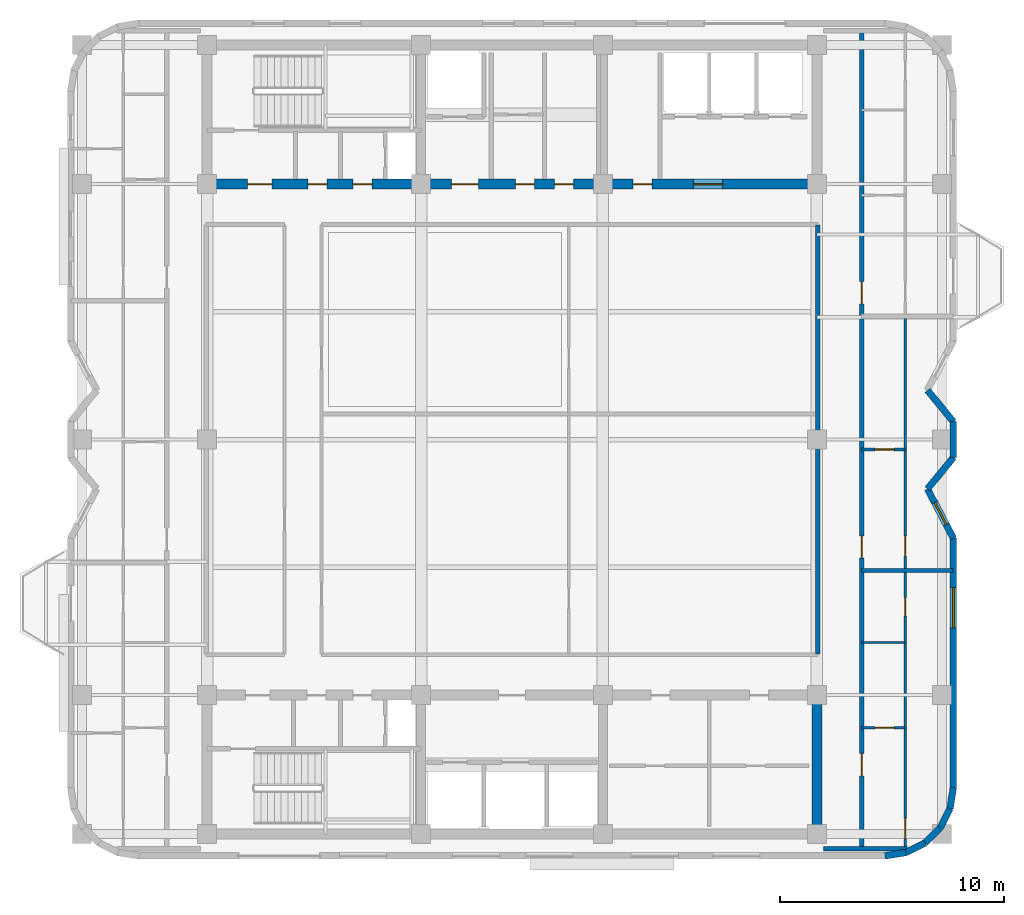
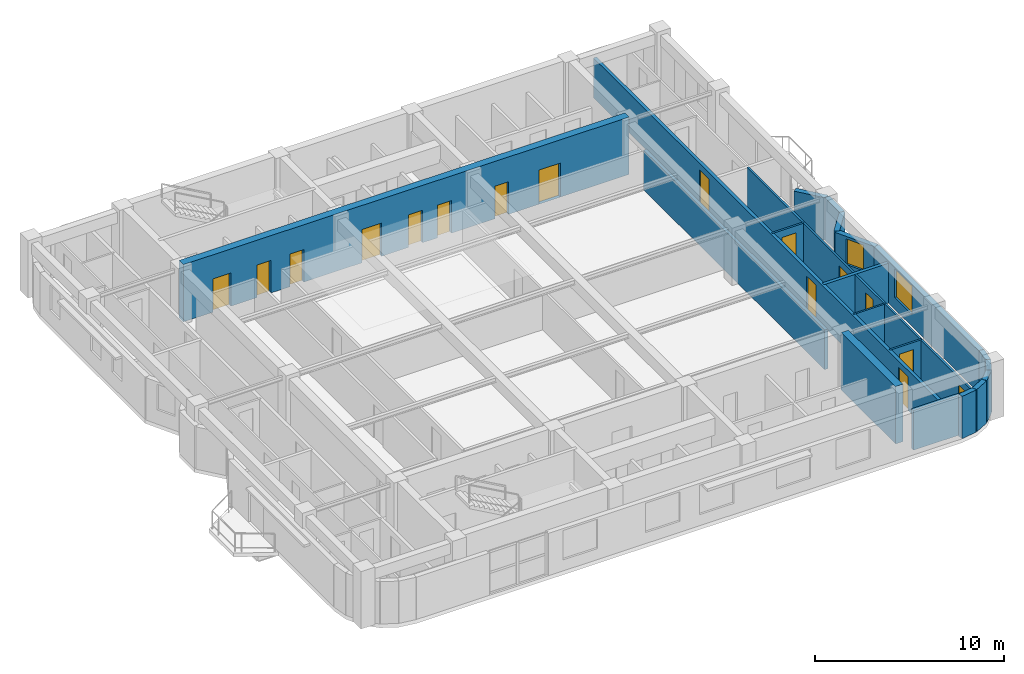
# One storey, part 8 of 12: 21 walls, 16 doors, 2 windows, 18 openings.
"""IFC4 building model written with IfcOpenShell, lengths in metres."""

from ifc_helpers import new_model, si_unit, direction, frame, frame_2d, origin, place, context, subcontext, project, spatial, rectangle, extrude, material, layer, layer_set, type_object, element, fill, save


model = new_model("IFC4")

# Units and contexts
model_context = context("Model", 3, precision=1e-05, world=origin(), true_north=direction((0.0, 1.0)))
body_context = subcontext(model_context, "Body", "Model", "MODEL_VIEW")
ifc_project = project(units=[si_unit("LENGTHUNIT", "METRE"), si_unit("AREAUNIT", "SQUARE_METRE"), si_unit("VOLUMEUNIT", "CUBIC_METRE"), si_unit("PLANEANGLEUNIT", "RADIAN"), si_unit("MASSUNIT", "GRAM", prefix="KILO")], contexts=[model_context])

# Site, building, storey
site_placement = place(None, origin())
site = spatial("IfcSite", under=ifc_project, at=site_placement, CompositionType="ELEMENT")
building_placement = place(site_placement, origin())
building = spatial("IfcBuilding", under=site, at=building_placement, Name="Svetorya Sky Lyceum", CompositionType="ELEMENT")
storey_placement = place(building_placement, frame((0.0, 0.0, 236.89990234375)))
storey = spatial("IfcBuildingStorey", under=building, at=storey_placement, Name="L59", CompositionType="ELEMENT", Elevation=236.89990234375)

# Wall
ifc_material_1 = material(Name="Concrete C50/60", Category="concrete")
ifc_layer_1 = layer(ifc_material_1, 0.449951171875)
ifc_layer_set_1 = layer_set([ifc_layer_1], Name="Concrete C50/60")
wall_type_1 = type_object("IfcWallType", Name="WL-CORE-450", PredefinedType="SHEAR", material=ifc_layer_set_1)
wall_1_placement = place(storey_placement, frame((52.800048828125, 10.824951171875, 0.0), z_axis=(0.0, 0.0, 1.0), x_axis=(0.0, 1.0, 0.0)))
element("IfcWall", 1, at=wall_1_placement, inside=storey, type_object=wall_type_1, Name="L59 SC East Core Shear Wall", PredefinedType="SHEAR", context=body_context, shape_type="SweptSolid", body=[
    extrude(rectangle(XDim=5.75, YDim=0.449951171875, at=frame_2d((2.875, 0.0))), origin(), (0.0, 0.0, 1.0), 3.7001953125),
])

# Wall, openings, doors
wall_2_placement = place(storey_placement, frame((52.800048828125, 39.60009765625, 0.0), z_axis=(0.0, 0.0, 1.0), x_axis=(-1.0, 0.0, 0.0)))
wall_2 = element("IfcWall", 2, at=wall_2_placement, inside=storey, type_object=wall_type_1, Name="L59 NC Inner Core Shear Wall", PredefinedType="SHEAR", context=body_context, shape_type="SweptSolid", body=[
    extrude(rectangle(XDim=27.199951171875, YDim=0.449951171875, at=frame_2d((13.60009765625, 0.0))), origin(), (0.0, 0.0, 1.0), 3.7001953125),
])
opening_1_placement = place(wall_2_placement, frame((24.300048828125, 0.0, 0.0)))
opening_1 = element("IfcOpeningElement", 3, at=opening_1_placement, cuts=wall_2, Name="Opening D-ST1", PredefinedType="OPENING", context=body_context, shape_type="SweptSolid", body=[
    extrude(rectangle(XDim=1.10009765625, YDim=2.14990234375, at=frame_2d((0.550048828125, 1.074951171875))), frame((0.0, 0.23486328125, 0.0), z_axis=(0.0, -1.0, 0.0), x_axis=(1.0, 0.0, 0.0)), (0.0, 0.0, 1.0), 0.469970703125),
])
opening_2_placement = place(wall_2_placement, frame((21.85009765625, 0.0, 0.0)))
opening_2 = element("IfcOpeningElement", 4, at=opening_2_placement, cuts=wall_2, Name="Opening D-CWC1", PredefinedType="OPENING", context=body_context, shape_type="SweptSolid", body=[
    extrude(rectangle(XDim=0.85009765625, YDim=2.10009765625, at=frame_2d((0.425048828125, 1.050048828125))), frame((0.0, 0.23486328125, 0.0), z_axis=(0.0, -1.0, 0.0), x_axis=(1.0, 0.0, 0.0)), (0.0, 0.0, 1.0), 0.469970703125),
])
opening_3_placement = place(wall_2_placement, frame((19.85009765625, 0.0, 0.0)))
opening_3 = element("IfcOpeningElement", 5, at=opening_3_placement, cuts=wall_2, Name="Opening D-CWC1", PredefinedType="OPENING", context=body_context, shape_type="SweptSolid", body=[
    extrude(rectangle(XDim=0.85009765625, YDim=2.10009765625, at=frame_2d((0.425048828125, 1.050048828125))), frame((0.0, 0.23486328125, 0.0), z_axis=(0.0, -1.0, 0.0), x_axis=(1.0, 0.0, 0.0)), (0.0, 0.0, 1.0), 0.469970703125),
])
opening_4_placement = place(wall_2_placement, frame((15.10009765625, 0.0, 0.0)))
opening_4 = element("IfcOpeningElement", 6, at=opening_4_placement, cuts=wall_2, Name="Opening D-FL1", PredefinedType="OPENING", context=body_context, shape_type="SweptSolid", body=[
    extrude(rectangle(XDim=1.199951171875, YDim=2.14990234375, at=frame_2d((0.60009765625, 1.074951171875))), frame((0.0, 0.23486328125, 0.0), z_axis=(0.0, -1.0, 0.0), x_axis=(1.0, 0.0, 0.0)), (0.0, 0.0, 1.0), 0.469970703125),
])
opening_5_placement = place(wall_2_placement, frame((12.60009765625, 0.0, 0.0)))
opening_5 = element("IfcOpeningElement", 7, at=opening_5_placement, cuts=wall_2, Name="Opening D-CWC1", PredefinedType="OPENING", context=body_context, shape_type="SweptSolid", body=[
    extrude(rectangle(XDim=0.85009765625, YDim=2.10009765625, at=frame_2d((0.425048828125, 1.050048828125))), frame((0.0, 0.23486328125, 0.0), z_axis=(0.0, -1.0, 0.0), x_axis=(1.0, 0.0, 0.0)), (0.0, 0.0, 1.0), 0.469970703125),
])
opening_6_placement = place(wall_2_placement, frame((10.85009765625, 0.0, 0.0)))
opening_6 = element("IfcOpeningElement", 8, at=opening_6_placement, cuts=wall_2, Name="Opening D-CWC1", PredefinedType="OPENING", context=body_context, shape_type="SweptSolid", body=[
    extrude(rectangle(XDim=0.85009765625, YDim=2.10009765625, at=frame_2d((0.425048828125, 1.050048828125))), frame((0.0, 0.23486328125, 0.0), z_axis=(0.0, -1.0, 0.0), x_axis=(1.0, 0.0, 0.0)), (0.0, 0.0, 1.0), 0.469970703125),
])
opening_7_placement = place(wall_2_placement, frame((7.35009765625, 0.0, 0.0)))
opening_7 = element("IfcOpeningElement", 9, at=opening_7_placement, cuts=wall_2, Name="Opening D-CWC1", PredefinedType="OPENING", context=body_context, shape_type="SweptSolid", body=[
    extrude(rectangle(XDim=0.85009765625, YDim=2.10009765625, at=frame_2d((0.425048828125, 1.050048828125))), frame((0.0, 0.23486328125, 0.0), z_axis=(0.0, -1.0, 0.0), x_axis=(1.0, 0.0, 0.0)), (0.0, 0.0, 1.0), 0.469970703125),
])
opening_8_placement = place(wall_2_placement, frame((4.199951171875, 0.0, 0.0)))
opening_8 = element("IfcOpeningElement", 10, at=opening_8_placement, cuts=wall_2, Name="Opening D-LB1", PredefinedType="OPENING", context=body_context, shape_type="SweptSolid", body=[
    extrude(rectangle(XDim=1.300048828125, YDim=2.199951171875, at=frame_2d((0.64990234375, 1.10009765625))), frame((0.0, 0.23486328125, 0.0), z_axis=(0.0, -1.0, 0.0), x_axis=(1.0, 0.0, 0.0)), (0.0, 0.0, 1.0), 0.469970703125),
])
ifc_material_2 = material(Name="Fire-rated galvanized steel core service closet door", Category="steel")
door_type_1 = type_object("IfcDoorType", Name="DR-CWET-850", OperationType="SINGLE_SWING_LEFT", PredefinedType="DOOR", material=ifc_material_2)
door_1_placement = place(opening_2_placement, origin())
door_1 = element("IfcDoor", 11, at=door_1_placement, inside=storey, type_object=door_type_1, Name="L59 North Cleaner Door", OperationType="SINGLE_SWING_RIGHT", OverallHeight=2.10009765625, OverallWidth=0.85009765625, PredefinedType="DOOR", context=body_context, shape_type="SweptSolid", body=[
    extrude(rectangle(XDim=0.85009765625, YDim=2.10009765625, at=frame_2d((0.425048828125, 1.050048828125))), frame((0.0, 0.02490234375, 0.0), z_axis=(0.0, -1.0, 0.0), x_axis=(1.0, 0.0, 0.0)), (0.0, 0.0, 1.0), 0.050048828125),
])
fill(opening_2, door_1)
door_2_placement = place(opening_3_placement, origin())
door_2 = element("IfcDoor", 12, at=door_2_placement, inside=storey, type_object=door_type_1, Name="L59 North Meter Door", OperationType="SINGLE_SWING_LEFT", OverallHeight=2.10009765625, OverallWidth=0.85009765625, PredefinedType="DOOR", context=body_context, shape_type="SweptSolid", body=[
    extrude(rectangle(XDim=0.85009765625, YDim=2.10009765625, at=frame_2d((0.425048828125, 1.050048828125))), frame((0.0, 0.02490234375, 0.0), z_axis=(0.0, -1.0, 0.0), x_axis=(1.0, 0.0, 0.0)), (0.0, 0.0, 1.0), 0.050048828125),
])
fill(opening_3, door_2)
door_3_placement = place(opening_5_placement, origin())
door_3 = element("IfcDoor", 13, at=door_3_placement, inside=storey, type_object=door_type_1, Name="L59 Cleaner Vestibule Door", OperationType="SINGLE_SWING_LEFT", OverallHeight=2.10009765625, OverallWidth=0.85009765625, PredefinedType="DOOR", context=body_context, shape_type="SweptSolid", body=[
    extrude(rectangle(XDim=0.85009765625, YDim=2.10009765625, at=frame_2d((0.425048828125, 1.050048828125))), frame((0.0, 0.02490234375, 0.0), z_axis=(0.0, -1.0, 0.0), x_axis=(1.0, 0.0, 0.0)), (0.0, 0.0, 1.0), 0.050048828125),
])
fill(opening_5, door_3)
door_4_placement = place(opening_6_placement, origin())
door_4 = element("IfcDoor", 14, at=door_4_placement, inside=storey, type_object=door_type_1, Name="L59 Upper Pram Store Door", OperationType="SINGLE_SWING_RIGHT", OverallHeight=2.10009765625, OverallWidth=0.85009765625, PredefinedType="DOOR", context=body_context, shape_type="SweptSolid", body=[
    extrude(rectangle(XDim=0.85009765625, YDim=2.10009765625, at=frame_2d((0.425048828125, 1.050048828125))), frame((0.0, 0.02490234375, 0.0), z_axis=(0.0, -1.0, 0.0), x_axis=(1.0, 0.0, 0.0)), (0.0, 0.0, 1.0), 0.050048828125),
])
fill(opening_6, door_4)
door_5_placement = place(opening_7_placement, origin())
door_5 = element("IfcDoor", 15, at=door_5_placement, inside=storey, type_object=door_type_1, Name="L59 High-Zone Utility Room Door", OperationType="SINGLE_SWING_LEFT", OverallHeight=2.10009765625, OverallWidth=0.85009765625, PredefinedType="DOOR", context=body_context, shape_type="SweptSolid", body=[
    extrude(rectangle(XDim=0.85009765625, YDim=2.10009765625, at=frame_2d((0.425048828125, 1.050048828125))), frame((0.0, 0.02490234375, 0.0), z_axis=(0.0, -1.0, 0.0), x_axis=(1.0, 0.0, 0.0)), (0.0, 0.0, 1.0), 0.050048828125),
])
fill(opening_7, door_5)
ifc_material_3 = material(Name="Powder-coated insulated galvanized stair fire door")
door_type_2 = type_object("IfcDoorType", Name="DR-FIRE-1100", OperationType="SINGLE_SWING_LEFT", PredefinedType="DOOR", material=ifc_material_3)
door_6_placement = place(opening_1_placement, origin())
door_6 = element("IfcDoor", 16, at=door_6_placement, inside=storey, type_object=door_type_2, Name="L59 North Stair Airlock Door", OperationType="SINGLE_SWING_LEFT", OverallHeight=2.14990234375, OverallWidth=1.10009765625, PredefinedType="DOOR", context=body_context, shape_type="SweptSolid", body=[
    extrude(rectangle(XDim=1.10009765625, YDim=2.14990234375, at=frame_2d((0.550048828125, 1.074951171875))), frame((0.0, 0.02490234375, 0.0), z_axis=(0.0, -1.0, 0.0), x_axis=(1.0, 0.0, 0.0)), (0.0, 0.0, 1.0), 0.050048828125),
])
fill(opening_1, door_6)
ifc_material_4 = material(Name="Powder-coated insulated galvanized fire door")
door_type_3 = type_object("IfcDoorType", Name="DR-FIRE-1200", OperationType="SINGLE_SWING_LEFT", PredefinedType="DOOR", material=ifc_material_4)
door_7_placement = place(opening_4_placement, origin())
door_7 = element("IfcDoor", 17, at=door_7_placement, inside=storey, type_object=door_type_3, Name="L59 North Firefighting Lift Lobby Door", OperationType="SINGLE_SWING_RIGHT", OverallHeight=2.14990234375, OverallWidth=1.199951171875, PredefinedType="DOOR", context=body_context, shape_type="SweptSolid", body=[
    extrude(rectangle(XDim=1.199951171875, YDim=2.14990234375, at=frame_2d((0.60009765625, 1.074951171875))), frame((0.0, 0.02490234375, 0.0), z_axis=(0.0, -1.0, 0.0), x_axis=(1.0, 0.0, 0.0)), (0.0, 0.0, 1.0), 0.050048828125),
])
fill(opening_4, door_7)
ifc_material_5 = material(Name="Glazed fire-rated aluminium lobby door", Category="aluminium")
door_type_4 = type_object("IfcDoorType", Name="DR-LOB-1300", OperationType="SINGLE_SWING_LEFT", PredefinedType="DOOR", material=ifc_material_5)
door_8_placement = place(opening_8_placement, origin())
door_8 = element("IfcDoor", 18, at=door_8_placement, inside=storey, type_object=door_type_4, Name="L59 North Passenger Lift Lobby Door", OperationType="SINGLE_SWING_LEFT", OverallHeight=2.199951171875, OverallWidth=1.300048828125, PredefinedType="DOOR", context=body_context, shape_type="SweptSolid", body=[
    extrude(rectangle(XDim=1.300048828125, YDim=2.199951171875, at=frame_2d((0.64990234375, 1.10009765625))), frame((0.0, 0.02490234375, 0.0), z_axis=(0.0, -1.0, 0.0), x_axis=(1.0, 0.0, 0.0)), (0.0, 0.0, 1.0), 0.050048828125),
])
fill(opening_8, door_8)

# Walls
ifc_material_6 = material(Name="Putilovo limestone rainscreen on autoclaved cellular masonry", Category="masonry")
ifc_layer_2 = layer(ifc_material_6, 0.300048828125)
ifc_layer_set_2 = layer_set([ifc_layer_2], Name="Putilovo limestone rainscreen on autoclaved cellular masonry")
wall_type_2 = type_object("IfcWallType", Name="WL-EXT-300", PredefinedType="SOLIDWALL", material=ifc_layer_set_2)
wall_3_placement = place(storey_placement, frame((55.840087890625, 9.6298828125, 0.0), z_axis=(0.0, 0.0, 1.0), x_axis=(0.987663181641, 0.156593229835, 0.0)))
element("IfcWall", 19, at=wall_3_placement, inside=storey, type_object=wall_type_2, Name="L59 Limestone Exterior Wall 7M", PredefinedType="SOLIDWALL", context=body_context, shape_type="SweptSolid", body=[
    extrude(rectangle(XDim=0.9541015625, YDim=0.300048828125, at=frame_2d((0.47705078125, 0.0))), origin(), (0.0, 0.0, 1.0), 2.72998046875),
])
for number, where, z_axis, x_axis, name in (
    (20, (56.782470703125, 9.779296875, 0.0), (0.0, 0.0, 1.0), (0.891076589373, 0.453852962833, 0.0), "L59 Limestone Exterior Wall 8M"),
    (21, (57.6328125, 10.21240234375, 0.0), (0.0, 0.0, 1.0), (0.707106781187, 0.707106781187, 0.0), "L59 Limestone Exterior Wall 9M"),
    (22, (58.3076171875, 10.88720703125, 0.0), (0.0, 0.0, 1.0), (0.453852962833, 0.891076589373, 0.0), "L59 Limestone Exterior Wall 10M"),
):
    element("IfcWall", number, at=place(storey_placement, frame(where, z_axis=z_axis, x_axis=x_axis)), inside=storey, type_object=wall_type_2, Name=name, PredefinedType="SOLIDWALL", context=body_context, shape_type="SweptSolid", body=[
        extrude(rectangle(XDim=0.954345703125, YDim=0.300048828125, at=frame_2d((0.47705078125, 0.0))), origin(), (0.0, 0.0, 1.0), 2.72998046875),
    ])
wall_4_placement = place(storey_placement, frame((58.74072265625, 11.737548828125, 0.0), z_axis=(0.0, 0.0, 1.0), x_axis=(0.156343617883, 0.987702725088, 0.0)))
element("IfcWall", 23, at=wall_4_placement, inside=storey, type_object=wall_type_2, Name="L59 Limestone Exterior Wall 11M", PredefinedType="SOLIDWALL", context=body_context, shape_type="SweptSolid", body=[
    extrude(rectangle(XDim=0.9541015625, YDim=0.300048828125, at=frame_2d((0.47705078125, 0.0))), origin(), (0.0, 0.0, 1.0), 2.72998046875),
])

# Wall, opening, window
wall_5_placement = place(storey_placement, frame((58.889892578125, 12.679931640625, 0.0), z_axis=(0.0, 0.0, 1.0), x_axis=(0.0, 1.0, 0.0)))
wall_5 = element("IfcWall", 24, at=wall_5_placement, inside=storey, type_object=wall_type_2, Name="L59 Limestone Exterior Wall 12M", PredefinedType="SOLIDWALL", context=body_context, shape_type="SweptSolid", body=[
    extrude(rectangle(XDim=11.1201171875, YDim=0.300048828125, at=frame_2d((5.56005859375, 0.0))), origin(), (0.0, 0.0, 1.0), 2.72998046875),
])
opening_9_placement = place(wall_5_placement, frame((7.114990234375, 0.0, 0.760009765625)))
opening_9 = element("IfcOpeningElement", 25, at=opening_9_placement, cuts=wall_5, Name="Opening W-R1", PredefinedType="OPENING", context=body_context, shape_type="SweptSolid", body=[
    extrude(rectangle(XDim=1.800048828125, YDim=1.85009765625, at=frame_2d((0.89990234375, 0.925048828125))), frame((0.0, 0.159912109375, 0.0), z_axis=(0.0, -1.0, 0.0), x_axis=(1.0, 0.0, 0.0)), (0.0, 0.0, 1.0), 0.320068359375),
])
ifc_material_7 = material(Name="Thermally broken aluminium frame with triple low-E glazing", Category="aluminium")
window_type_1 = type_object("IfcWindowType", Name="WN-RES-180", PartitioningType="DOUBLE_PANEL_VERTICAL", PredefinedType="WINDOW", material=ifc_material_7)
window_1_placement = place(opening_9_placement, origin())
window_1 = element("IfcWindow", 26, at=window_1_placement, inside=storey, type_object=window_type_1, Name="L59 Facade Window W-R1.12M.1", OverallHeight=1.85009765625, OverallWidth=1.800048828125, PartitioningType="SINGLE_PANEL", PredefinedType="WINDOW", context=body_context, shape_type="SweptSolid", body=[
    extrude(rectangle(XDim=1.800048828125, YDim=1.85009765625, at=frame_2d((0.89990234375, 0.925048828125))), frame((0.0, 0.030029296875, 0.0), z_axis=(0.0, -1.0, 0.0), x_axis=(1.0, 0.0, 0.0)), (0.0, 0.0, 1.0), 0.06005859375),
])
fill(opening_9, window_1)

wall_6_placement = place(storey_placement, frame((58.889892578125, 23.800048828125, 0.0), z_axis=(0.0, 0.0, 1.0), x_axis=(-0.46323138706, 0.886237373418, 0.0)))
wall_6 = element("IfcWall", 27, at=wall_6_placement, inside=storey, type_object=wall_type_2, Name="L59 Limestone Exterior Wall 13M", PredefinedType="SOLIDWALL", context=body_context, shape_type="SweptSolid", body=[
    extrude(rectangle(XDim=2.482421875, YDim=0.300048828125, at=frame_2d((1.2412109375, 0.0))), origin(), (0.0, 0.0, 1.0), 2.72998046875),
])
opening_10_placement = place(wall_6_placement, frame((0.691162109375, 0.0, 0.919921875)))
opening_10 = element("IfcOpeningElement", 28, at=opening_10_placement, cuts=wall_6, Name="Opening W-R3", PredefinedType="OPENING", context=body_context, shape_type="SweptSolid", body=[
    extrude(rectangle(XDim=1.10009765625, YDim=1.64990234375, at=frame_2d((0.550048828125, 0.824951171875))), frame((0.0, 0.159912109375, 0.0), z_axis=(0.0, -1.0, 0.0), x_axis=(1.0, 0.0, 0.0)), (0.0, 0.0, 1.0), 0.320068359375),
])
window_type_2 = type_object("IfcWindowType", Name="WN-RES-110", PartitioningType="SINGLE_PANEL", PredefinedType="WINDOW", material=ifc_material_7)
window_2_placement = place(opening_10_placement, origin())
window_2 = element("IfcWindow", 29, at=window_2_placement, inside=storey, type_object=window_type_2, Name="L59 Facade Window W-R3.13M.1", OverallHeight=1.64990234375, OverallWidth=1.10009765625, PartitioningType="SINGLE_PANEL", PredefinedType="WINDOW", context=body_context, shape_type="SweptSolid", body=[
    extrude(rectangle(XDim=1.10009765625, YDim=1.64990234375, at=frame_2d((0.550048828125, 0.824951171875))), frame((0.0, 0.030029296875, 0.0), z_axis=(0.0, -1.0, 0.0), x_axis=(1.0, 0.0, 0.0)), (0.0, 0.0, 1.0), 0.06005859375),
])
fill(opening_10, window_2)

# Walls
wall_7_placement = place(storey_placement, frame((57.739990234375, 26.0, 0.0), z_axis=(0.0, 0.0, 1.0), x_axis=(0.634733675645, 0.772730975827, 0.0)))
element("IfcWall", 30, at=wall_7_placement, inside=storey, type_object=wall_type_2, Name="L59 Limestone Exterior Wall 14M", PredefinedType="SOLIDWALL", context=body_context, shape_type="SweptSolid", body=[
    extrude(rectangle(XDim=1.8115234375, YDim=0.300048828125, at=frame_2d((0.90576171875, 0.0))), origin(), (0.0, 0.0, 1.0), 2.72998046875),
])
wall_8_placement = place(storey_placement, frame((58.889892578125, 27.39990234375, 0.0), z_axis=(0.0, 0.0, 1.0), x_axis=(0.0, 1.0, 0.0)))
element("IfcWall", 31, at=wall_8_placement, inside=storey, type_object=wall_type_2, Name="L59 Limestone Exterior Wall 15M", PredefinedType="SOLIDWALL", context=body_context, shape_type="SweptSolid", body=[
    extrude(rectangle(XDim=1.60009765625, YDim=0.300048828125, at=frame_2d((0.800048828125, 0.0))), origin(), (0.0, 0.0, 1.0), 2.72998046875),
])
wall_9_placement = place(storey_placement, frame((58.889892578125, 29.0, 0.0), z_axis=(0.0, 0.0, 1.0), x_axis=(-0.634733675645, 0.772730975827, 0.0)))
element("IfcWall", 32, at=wall_9_placement, inside=storey, type_object=wall_type_2, Name="L59 Limestone Exterior Wall 16M", PredefinedType="SOLIDWALL", context=body_context, shape_type="SweptSolid", body=[
    extrude(rectangle(XDim=1.8115234375, YDim=0.300048828125, at=frame_2d((0.90576171875, 0.0))), origin(), (0.0, 0.0, 1.0), 2.72998046875),
])
ifc_material_8 = material(Name="Galvanized stud partition with moisture-resistant board", Category="gypsum")
ifc_layer_3 = layer(ifc_material_8, 0.10009765625)
ifc_layer_set_3 = layer_set([ifc_layer_3], Name="Galvanized stud partition with moisture-resistant board")
wall_type_3 = type_object("IfcWallType", Name="WL-PART-100", PredefinedType="PARTITIONING", material=ifc_layer_set_3)
wall_10_placement = place(storey_placement, frame((54.800048828125, 19.14990234375, 0.0), z_axis=(0.0, 0.0, 1.0), x_axis=(1.0, 0.0, 0.0)))
element("IfcWall", 33, at=wall_10_placement, inside=storey, type_object=wall_type_3, Name="L59 Interior Partition E1-WH2", PredefinedType="PARTITIONING", context=body_context, shape_type="SweptSolid", body=[
    extrude(rectangle(XDim=1.949951171875, YDim=0.10009765625, at=frame_2d((0.97509765625, 0.0))), origin(), (0.0, 0.0, 1.0), 2.56005859375),
])

# Wall, opening, door
ifc_material_9 = material(Name="Twin-stud galvanized framing with double fireboard", Category="gypsum")
ifc_layer_4 = layer(ifc_material_9, 0.1201171875)
ifc_layer_set_4 = layer_set([ifc_layer_4], Name="Twin-stud galvanized framing with double fireboard")
wall_type_4 = type_object("IfcWallType", Name="WL-PART-120", PredefinedType="PARTITIONING", material=ifc_layer_set_4)
wall_11_placement = place(storey_placement, frame((54.800048828125, 15.35009765625, 0.0), z_axis=(0.0, 0.0, 1.0), x_axis=(1.0, 0.0, 0.0)))
wall_11 = element("IfcWall", 34, at=wall_11_placement, inside=storey, type_object=wall_type_4, Name="L59 Interior Partition E1-WH1", PredefinedType="PARTITIONING", context=body_context, shape_type="SweptSolid", body=[
    extrude(rectangle(XDim=1.949951171875, YDim=0.1201171875, at=frame_2d((0.97509765625, 0.0))), origin(), (0.0, 0.0, 1.0), 2.56005859375),
])
opening_11_placement = place(wall_11_placement, frame((0.60009765625, 0.0, 0.0)))
opening_11 = element("IfcOpeningElement", 35, at=opening_11_placement, cuts=wall_11, Name="Opening D-BT1", PredefinedType="OPENING", context=body_context, shape_type="SweptSolid", body=[
    extrude(rectangle(XDim=0.85009765625, YDim=2.10009765625, at=frame_2d((0.425048828125, 1.050048828125))), frame((0.0, 0.070068359375, 0.0), z_axis=(0.0, -1.0, 0.0), x_axis=(1.0, 0.0, 0.0)), (0.0, 0.0, 1.0), 0.14013671875),
])
ifc_material_10 = material(Name="Moisture-resistant laminate bathroom door")
door_type_5 = type_object("IfcDoorType", Name="DR-WET-850", OperationType="SINGLE_SWING_LEFT", PredefinedType="DOOR", material=ifc_material_10)
door_9_placement = place(opening_11_placement, origin())
door_9 = element("IfcDoor", 36, at=door_9_placement, inside=storey, type_object=door_type_5, Name="Apartment E1 Bathroom Door", OperationType="SINGLE_SWING_RIGHT", OverallHeight=2.10009765625, OverallWidth=0.85009765625, PredefinedType="DOOR", context=body_context, shape_type="SweptSolid", body=[
    extrude(rectangle(XDim=0.85009765625, YDim=2.10009765625, at=frame_2d((0.425048828125, 1.050048828125))), frame((0.0, 0.02490234375, 0.0), z_axis=(0.0, -1.0, 0.0), x_axis=(1.0, 0.0, 0.0)), (0.0, 0.0, 1.0), 0.050048828125),
])
fill(opening_11, door_9)

# Wall, openings, doors
wall_12_placement = place(storey_placement, frame((56.75, 9.989990234375, 0.0), z_axis=(0.0, 0.0, 1.0), x_axis=(0.0, 1.0, 0.0)))
wall_12 = element("IfcWall", 37, at=wall_12_placement, inside=storey, type_object=wall_type_4, Name="L59 Interior Partition E1-WV", PredefinedType="PARTITIONING", context=body_context, shape_type="SweptSolid", body=[
    extrude(rectangle(XDim=12.330078125, YDim=0.1201171875, at=frame_2d((6.1650390625, 0.0))), origin(), (0.0, 0.0, 1.0), 2.56005859375),
])
opening_12_placement = place(wall_12_placement, frame((0.409912109375, 0.0, 0.0)))
opening_12 = element("IfcOpeningElement", 38, at=opening_12_placement, cuts=wall_12, Name="Opening D-RM1", PredefinedType="OPENING", context=body_context, shape_type="SweptSolid", body=[
    extrude(rectangle(XDim=0.89990234375, YDim=2.10009765625, at=frame_2d((0.449951171875, 1.050048828125))), frame((0.0, 0.070068359375, 0.0), z_axis=(0.0, -1.0, 0.0), x_axis=(1.0, 0.0, 0.0)), (0.0, 0.0, 1.0), 0.14013671875),
])
opening_13_placement = place(wall_12_placement, frame((10.340087890625, 0.0, 0.0)))
opening_13 = element("IfcOpeningElement", 39, at=opening_13_placement, cuts=wall_12, Name="Opening D-BT2", PredefinedType="OPENING", context=body_context, shape_type="SweptSolid", body=[
    extrude(rectangle(XDim=0.820068359375, YDim=2.080078125, at=frame_2d((0.41015625, 1.0400390625))), frame((0.0, 0.070068359375, 0.0), z_axis=(0.0, -1.0, 0.0), x_axis=(1.0, 0.0, 0.0)), (0.0, 0.0, 1.0), 0.14013671875),
])
ifc_material_11 = material(Name="Lacquered birch veneer internal door")
door_type_6 = type_object("IfcDoorType", Name="DR-INT-900", OperationType="SINGLE_SWING_LEFT", PredefinedType="DOOR", material=ifc_material_11)
door_10_placement = place(opening_12_placement, origin())
door_10 = element("IfcDoor", 40, at=door_10_placement, inside=storey, type_object=door_type_6, Name="Apartment E1 Living Door", OperationType="SINGLE_SWING_LEFT", OverallHeight=2.10009765625, OverallWidth=0.89990234375, PredefinedType="DOOR", context=body_context, shape_type="SweptSolid", body=[
    extrude(rectangle(XDim=0.89990234375, YDim=2.10009765625, at=frame_2d((0.449951171875, 1.050048828125))), frame((0.0, 0.02490234375, 0.0), z_axis=(0.0, -1.0, 0.0), x_axis=(1.0, 0.0, 0.0)), (0.0, 0.0, 1.0), 0.050048828125),
])
fill(opening_12, door_10)
ifc_material_12 = material(Name="Compact moisture-resistant laminate closet door")
door_type_7 = type_object("IfcDoorType", Name="DR-WET-820", OperationType="SINGLE_SWING_LEFT", PredefinedType="DOOR", material=ifc_material_12)
door_11_placement = place(opening_13_placement, origin())
door_11 = element("IfcDoor", 41, at=door_11_placement, inside=storey, type_object=door_type_7, Name="Apartment E1 Study Door", OperationType="SINGLE_SWING_RIGHT", OverallHeight=2.080078125, OverallWidth=0.820068359375, PredefinedType="DOOR", context=body_context, shape_type="SweptSolid", body=[
    extrude(rectangle(XDim=0.820068359375, YDim=2.080078125, at=frame_2d((0.41015625, 1.0400390625))), frame((0.0, 0.02490234375, 0.0), z_axis=(0.0, -1.0, 0.0), x_axis=(1.0, 0.0, 0.0)), (0.0, 0.0, 1.0), 0.050048828125),
])
fill(opening_13, door_11)

# Wall, opening, door
wall_13_placement = place(storey_placement, frame((54.800048828125, 27.760009765625, 0.0), z_axis=(0.0, 0.0, 1.0), x_axis=(1.0, 0.0, 0.0)))
wall_13 = element("IfcWall", 42, at=wall_13_placement, inside=storey, type_object=wall_type_4, Name="L59 Interior Partition E2-WH1", PredefinedType="PARTITIONING", context=body_context, shape_type="SweptSolid", body=[
    extrude(rectangle(XDim=1.949951171875, YDim=0.1201171875, at=frame_2d((0.97509765625, 0.0))), origin(), (0.0, 0.0, 1.0), 2.56005859375),
])
opening_14_placement = place(wall_13_placement, frame((0.60009765625, 0.0, 0.0)))
opening_14 = element("IfcOpeningElement", 43, at=opening_14_placement, cuts=wall_13, Name="Opening D-BT1", PredefinedType="OPENING", context=body_context, shape_type="SweptSolid", body=[
    extrude(rectangle(XDim=0.85009765625, YDim=2.10009765625, at=frame_2d((0.425048828125, 1.050048828125))), frame((0.0, 0.070068359375, 0.0), z_axis=(0.0, -1.0, 0.0), x_axis=(1.0, 0.0, 0.0)), (0.0, 0.0, 1.0), 0.14013671875),
])
door_12_placement = place(opening_14_placement, origin())
door_12 = element("IfcDoor", 44, at=door_12_placement, inside=storey, type_object=door_type_5, Name="Apartment E2 Bathroom Door", OperationType="SINGLE_SWING_LEFT", OverallHeight=2.10009765625, OverallWidth=0.85009765625, PredefinedType="DOOR", context=body_context, shape_type="SweptSolid", body=[
    extrude(rectangle(XDim=0.85009765625, YDim=2.10009765625, at=frame_2d((0.425048828125, 1.050048828125))), frame((0.0, 0.02490234375, 0.0), z_axis=(0.0, -1.0, 0.0), x_axis=(1.0, 0.0, 0.0)), (0.0, 0.0, 1.0), 0.050048828125),
])
fill(opening_14, door_12)

wall_14_placement = place(storey_placement, frame((56.75, 22.39990234375, 0.0), z_axis=(0.0, 0.0, 1.0), x_axis=(0.0, 1.0, 0.0)))
wall_14 = element("IfcWall", 45, at=wall_14_placement, inside=storey, type_object=wall_type_4, Name="L59 Interior Partition E2-WV", PredefinedType="PARTITIONING", context=body_context, shape_type="SweptSolid", body=[
    extrude(rectangle(XDim=11.260009765625, YDim=0.1201171875, at=frame_2d((5.6298828125, 0.0))), origin(), (0.0, 0.0, 1.0), 2.56005859375),
])
opening_15_placement = place(wall_14_placement, frame((0.610107421875, 0.0, 0.0)))
opening_15 = element("IfcOpeningElement", 46, at=opening_15_placement, cuts=wall_14, Name="Opening D-RM1", PredefinedType="OPENING", context=body_context, shape_type="SweptSolid", body=[
    extrude(rectangle(XDim=0.89990234375, YDim=2.10009765625, at=frame_2d((0.449951171875, 1.050048828125))), frame((0.0, 0.070068359375, 0.0), z_axis=(0.0, -1.0, 0.0), x_axis=(1.0, 0.0, 0.0)), (0.0, 0.0, 1.0), 0.14013671875),
])
door_13_placement = place(opening_15_placement, origin())
door_13 = element("IfcDoor", 47, at=door_13_placement, inside=storey, type_object=door_type_6, Name="Apartment E2 Living Door", OperationType="SINGLE_SWING_RIGHT", OverallHeight=2.10009765625, OverallWidth=0.89990234375, PredefinedType="DOOR", context=body_context, shape_type="SweptSolid", body=[
    extrude(rectangle(XDim=0.89990234375, YDim=2.10009765625, at=frame_2d((0.449951171875, 1.050048828125))), frame((0.0, 0.02490234375, 0.0), z_axis=(0.0, -1.0, 0.0), x_axis=(1.0, 0.0, 0.0)), (0.0, 0.0, 1.0), 0.050048828125),
])
fill(opening_15, door_13)

# Walls
ifc_material_13 = material(Name="Autoclaved cellular masonry blockwork with gypsum plaster", Category="masonry")
ifc_layer_5 = layer(ifc_material_13, 0.199951171875)
ifc_layer_set_5 = layer_set([ifc_layer_5], Name="Autoclaved cellular masonry blockwork with gypsum plaster")
wall_type_5 = type_object("IfcWallType", Name="WL-PART-200", PredefinedType="PARTITIONING", material=ifc_layer_set_5)
wall_15_placement = place(storey_placement, frame((52.85009765625, 18.6298828125, 0.0), z_axis=(0.0, 0.0, 1.0), x_axis=(0.0, 1.0, 0.0)))
element("IfcWall", 48, at=wall_15_placement, inside=storey, type_object=wall_type_5, Name="L59 Interior Partition E-CEN-SEP", PredefinedType="PARTITIONING", context=body_context, shape_type="SweptSolid", body=[
    extrude(rectangle(XDim=19.14013671875, YDim=0.199951171875, at=frame_2d((9.570068359375, 0.0))), origin(), (0.0, 0.0, 1.0), 2.56005859375),
])
wall_16_placement = place(storey_placement, frame((54.800048828125, 22.360107421875, 0.0), z_axis=(0.0, 0.0, 1.0), x_axis=(1.0, 0.0, 0.0)))
element("IfcWall", 49, at=wall_16_placement, inside=storey, type_object=wall_type_5, Name="L59 Interior Partition E-PARTY-1", PredefinedType="PARTITIONING", context=body_context, shape_type="SweptSolid", body=[
    extrude(rectangle(XDim=4.070068359375, YDim=0.199951171875, at=frame_2d((2.03515625, 0.0))), origin(), (0.0, 0.0, 1.0), 2.56005859375),
])

# Wall, openings, doors
wall_17_placement = place(storey_placement, frame((54.800048828125, 9.949951171875, 0.0), z_axis=(0.0, 0.0, 1.0), x_axis=(0.0, 1.0, 0.0)))
wall_17 = element("IfcWall", 50, at=wall_17_placement, inside=storey, type_object=wall_type_5, Name="L59 Interior Partition E-CORRW", PredefinedType="PARTITIONING", context=body_context, shape_type="SweptSolid", body=[
    extrude(rectangle(XDim=36.5, YDim=0.199951171875, at=frame_2d((18.25, 0.0))), origin(), (0.0, 0.0, 1.0), 2.56005859375),
])
opening_16_placement = place(wall_17_placement, frame((3.25, 0.0, 0.0)))
opening_16 = element("IfcOpeningElement", 51, at=opening_16_placement, cuts=wall_17, Name="Opening D-APT1", PredefinedType="OPENING", context=body_context, shape_type="SweptSolid", body=[
    extrude(rectangle(XDim=1.0, YDim=2.14990234375, at=frame_2d((0.5, 1.074951171875))), frame((0.0, 0.10986328125, 0.0), z_axis=(0.0, -1.0, 0.0), x_axis=(1.0, 0.0, 0.0)), (0.0, 0.0, 1.0), 0.219970703125),
])
opening_17_placement = place(wall_17_placement, frame((12.9599609375, 0.0, 0.0)))
opening_17 = element("IfcOpeningElement", 52, at=opening_17_placement, cuts=wall_17, Name="Opening D-APT1", PredefinedType="OPENING", context=body_context, shape_type="SweptSolid", body=[
    extrude(rectangle(XDim=1.0, YDim=2.14990234375, at=frame_2d((0.5, 1.074951171875))), frame((0.0, 0.10986328125, 0.0), z_axis=(0.0, -1.0, 0.0), x_axis=(1.0, 0.0, 0.0)), (0.0, 0.0, 1.0), 0.219970703125),
])
opening_18_placement = place(wall_17_placement, frame((24.300048828125, 0.0, 0.0)))
opening_18 = element("IfcOpeningElement", 53, at=opening_18_placement, cuts=wall_17, Name="Opening D-APT1", PredefinedType="OPENING", context=body_context, shape_type="SweptSolid", body=[
    extrude(rectangle(XDim=1.0, YDim=2.14990234375, at=frame_2d((0.5, 1.074951171875))), frame((0.0, 0.10986328125, 0.0), z_axis=(0.0, -1.0, 0.0), x_axis=(1.0, 0.0, 0.0)), (0.0, 0.0, 1.0), 0.219970703125),
])
ifc_material_14 = material(Name="Insulated oak-veneered apartment entrance door")
door_type_8 = type_object("IfcDoorType", Name="DR-APT-1000", OperationType="SINGLE_SWING_LEFT", PredefinedType="DOOR", material=ifc_material_14)
door_14_placement = place(opening_16_placement, origin())
door_14 = element("IfcDoor", 54, at=door_14_placement, inside=storey, type_object=door_type_8, Name="L59 Apartment E1 Entrance Door", OperationType="SINGLE_SWING_RIGHT", OverallHeight=2.14990234375, OverallWidth=1.0, PredefinedType="DOOR", context=body_context, shape_type="SweptSolid", body=[
    extrude(rectangle(XDim=1.0, YDim=2.14990234375, at=frame_2d((0.5, 1.074951171875))), frame((0.0, 0.02490234375, 0.0), z_axis=(0.0, -1.0, 0.0), x_axis=(1.0, 0.0, 0.0)), (0.0, 0.0, 1.0), 0.050048828125),
])
fill(opening_16, door_14)
door_15_placement = place(opening_17_placement, origin())
door_15 = element("IfcDoor", 55, at=door_15_placement, inside=storey, type_object=door_type_8, Name="L59 Apartment E2 Entrance Door", OperationType="SINGLE_SWING_LEFT", OverallHeight=2.14990234375, OverallWidth=1.0, PredefinedType="DOOR", context=body_context, shape_type="SweptSolid", body=[
    extrude(rectangle(XDim=1.0, YDim=2.14990234375, at=frame_2d((0.5, 1.074951171875))), frame((0.0, 0.02490234375, 0.0), z_axis=(0.0, -1.0, 0.0), x_axis=(1.0, 0.0, 0.0)), (0.0, 0.0, 1.0), 0.050048828125),
])
fill(opening_17, door_15)
door_16_placement = place(opening_18_placement, origin())
door_16 = element("IfcDoor", 56, at=door_16_placement, inside=storey, type_object=door_type_8, Name="L59 Apartment E3 Entrance Door", OperationType="SINGLE_SWING_RIGHT", OverallHeight=2.14990234375, OverallWidth=1.0, PredefinedType="DOOR", context=body_context, shape_type="SweptSolid", body=[
    extrude(rectangle(XDim=1.0, YDim=2.14990234375, at=frame_2d((0.5, 1.074951171875))), frame((0.0, 0.02490234375, 0.0), z_axis=(0.0, -1.0, 0.0), x_axis=(1.0, 0.0, 0.0)), (0.0, 0.0, 1.0), 0.050048828125),
])
fill(opening_18, door_16)

# Wall
wall_18_placement = place(storey_placement, frame((53.10009765625, 9.949951171875, 0.0), z_axis=(0.0, 0.0, 1.0), x_axis=(1.0, 0.0, 0.0)))
element("IfcWall", 57, at=wall_18_placement, inside=storey, type_object=wall_type_5, Name="L59 Interior Partition E-CAP-S", PredefinedType="PARTITIONING", context=body_context, shape_type="SweptSolid", body=[
    extrude(rectangle(XDim=3.75390625, YDim=0.199951171875, at=frame_2d((1.876953125, 0.0))), origin(), (0.0, 0.0, 1.0), 2.56005859375),
])

save(model, "model.ifc")
